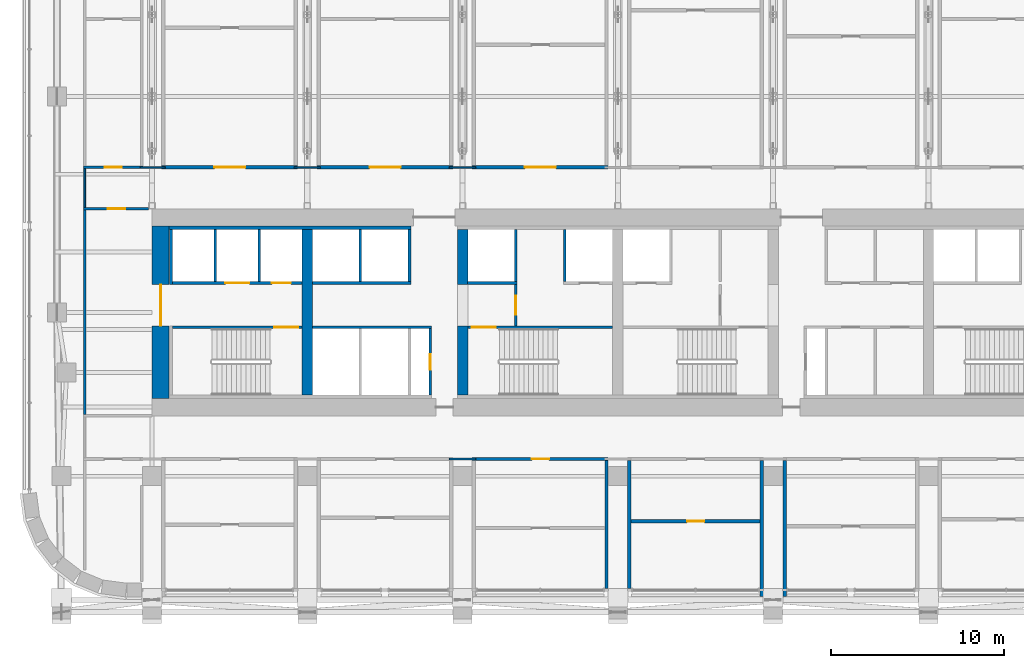
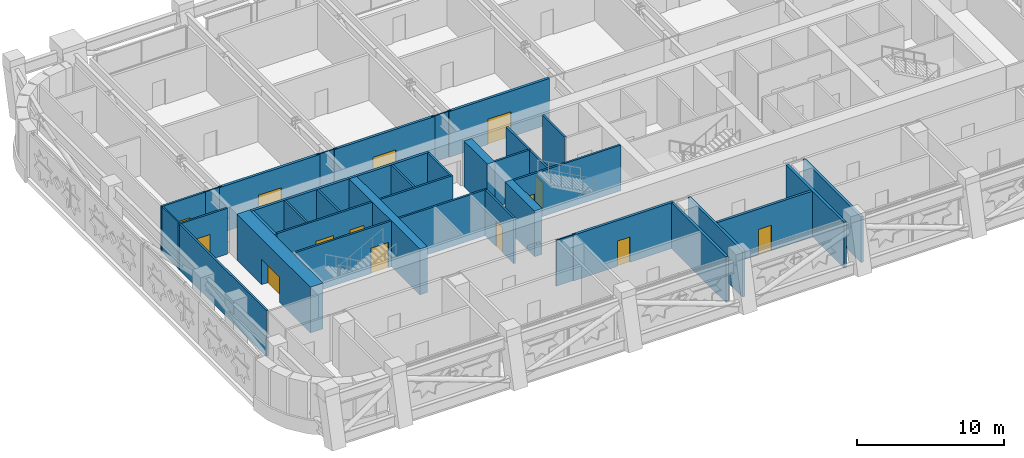
# One storey, part 13 of 27: 37 walls, 14 doors, 14 openings.
"""IFC4 building model written with IfcOpenShell, lengths in metres."""

import ifcopenshell
import ifcopenshell.guid

model = None  # the IFC model being written
_history = None  # IfcOwnerHistory: only IFC2X3 demands one
_inside = {}  # id of a spatial element -> (the spatial element, [elements in it])
_under = {}  # id of a project, library or spatial element -> (it, [spatial elements below it])
_declared = {}  # id of a project -> (the project, [libraries it declares])
_typed = {}  # id of a type object -> (the type object, [elements of that type])
_made_of = {}  # id of a material, layer set ... -> (it, [elements and type objects made of it])


def new_model(schema):
    """Start an empty IFC model of exactly this schema.

    Asked for "IFC4X3", IfcOpenShell would pick the latest addendum, in which some entities
    have other attributes; the version numbers below select the first issue.
    IFC2X3 requires an IfcOwnerHistory on every rooted entity: one is made here for all.
    """
    global model, _history
    if schema == "IFC4X3":
        model = ifcopenshell.file(schema_version=(4, 3, 0, 0))
    else:
        model = ifcopenshell.file(schema=schema)
    _inside.clear()
    _under.clear()
    _declared.clear()
    _typed.clear()
    _made_of.clear()
    _history = None
    if model.schema == "IFC2X3":
        org = make("IfcOrganization", Name="unknown")
        user = make(
            "IfcPersonAndOrganization",
            ThePerson=make("IfcPerson", FamilyName="unknown"),
            TheOrganization=org,
        )
        app = make(
            "IfcApplication",
            ApplicationDeveloper=org,
            Version="unknown",
            ApplicationFullName="unknown",
            ApplicationIdentifier="unknown",
        )
        _history = make(
            "IfcOwnerHistory",
            OwningUser=user,
            OwningApplication=app,
            ChangeAction="ADDED",
            CreationDate=0,
        )
    return model


def make(cls, **values):
    """One entity of the class cls with the attributes given. An attribute that is None is left unset."""
    return model.create_entity(
        cls, **{name: value for name, value in values.items() if value is not None}
    )


def rooted(cls, **values):
    """An entity with a GlobalId (a new one), such as an element, a storey or a relation."""
    return make(cls, GlobalId=ifcopenshell.guid.new(), OwnerHistory=_history, **values)


def si_unit(unit_type, name, prefix=None):
    """IfcSIUnit, for example si_unit("LENGTHUNIT", "METRE", prefix="MILLI")."""
    return make("IfcSIUnit", UnitType=unit_type, Prefix=prefix, Name=name)


def assignment(units):
    """IfcUnitAssignment: the units of a project."""
    return None if units is None else make("IfcUnitAssignment", Units=units)


def point(xyz):
    """IfcCartesianPoint."""
    return None if xyz is None else make("IfcCartesianPoint", Coordinates=xyz)


def direction(xyz):
    """IfcDirection."""
    return None if xyz is None else make("IfcDirection", DirectionRatios=xyz)


def frame(location, z_axis=None, x_axis=None):
    """IfcAxis2Placement3D, a coordinate frame: its origin and axes. An axis left out is left unset."""
    return make(
        "IfcAxis2Placement3D",
        Location=point(location),
        Axis=direction(z_axis),
        RefDirection=direction(x_axis),
    )


def frame_2d(location, x_axis=None):
    """IfcAxis2Placement2D, a coordinate frame in the plane: its origin and x axis."""
    return make(
        "IfcAxis2Placement2D", Location=point(location), RefDirection=direction(x_axis)
    )


def origin():
    """The frame at (0, 0, 0) with its axes left unset."""
    return frame((0.0, 0.0, 0.0))


def place(relative_to, where):
    """IfcLocalPlacement: puts the frame where relative to a parent placement (None: the world)."""
    return make(
        "IfcLocalPlacement", PlacementRelTo=relative_to, RelativePlacement=where
    )


def context(
    kind, dimensions, precision=None, world=None, true_north=None, identifier=None
):
    """IfcGeometricRepresentationContext, for example the 3D "Model" context."""
    return make(
        "IfcGeometricRepresentationContext",
        ContextIdentifier=identifier,
        ContextType=kind,
        CoordinateSpaceDimension=dimensions,
        Precision=precision,
        WorldCoordinateSystem=world,
        TrueNorth=true_north,
    )


def subcontext(parent, identifier, kind, view, scale=None):
    """IfcGeometricRepresentationSubContext, for example "Body" below "Model"."""
    return make(
        "IfcGeometricRepresentationSubContext",
        ContextIdentifier=identifier,
        ContextType=kind,
        ParentContext=parent,
        TargetScale=scale,
        TargetView=view,
    )


def project(units=None, contexts=None):
    """IfcProject with its units and contexts."""
    return rooted(
        "IfcProject",
        Name="project",
        RepresentationContexts=contexts,
        UnitsInContext=assignment(units),
    )


def spatial(cls, under=None, at=None, **own):
    """A site, building, storey or space (cls), placed at a placement, below another one or the project."""
    s = rooted(cls, ObjectPlacement=at, **own)
    if under is not None:
        _under.setdefault(under.id(), (under, []))[1].append(s)
    return s


def profile(cls, at=None, kind="AREA", **sizes):
    """A parametric profile (cls). Its sizes go by their IFC names, for example OverallWidth=200.0."""
    return make(cls, ProfileType=kind, Position=at, **sizes)


def rectangle(**sizes):
    """IfcRectangleProfileDef."""
    return profile("IfcRectangleProfileDef", **sizes)


def extrude(swept, where, along, depth):
    """IfcExtrudedAreaSolid: the profile swept, set in the frame where, extruded along a direction by depth."""
    return make(
        "IfcExtrudedAreaSolid",
        SweptArea=swept,
        Position=where,
        ExtrudedDirection=direction(along),
        Depth=depth,
    )


def shape(context_of_items, identifier, shape_type, items):
    """IfcShapeRepresentation: the items that make up one representation, for example the "Body"."""
    return make(
        "IfcShapeRepresentation",
        ContextOfItems=context_of_items,
        RepresentationIdentifier=identifier,
        RepresentationType=shape_type,
        Items=items,
    )


def material(Name=None, Category=None):
    """IfcMaterial."""
    return make("IfcMaterial", Name=Name, Category=Category)


def layer(
    of_material, thickness, ventilated=None, Name=None, Category=None, Priority=None
):
    """IfcMaterialLayer: one layer of a wall or slab, of a material (None: an air gap)."""
    return make(
        "IfcMaterialLayer",
        Material=of_material,
        LayerThickness=thickness,
        IsVentilated=ventilated,
        Name=Name,
        Category=Category,
        Priority=Priority,
    )


def layer_set(layers, Name=None):
    """IfcMaterialLayerSet."""
    return make("IfcMaterialLayerSet", MaterialLayers=layers, LayerSetName=Name)


def made_of(thing, what):
    """Note that an element or type object is made of a material, layer set ...; save() writes the relation."""
    if what is not None:
        _made_of.setdefault(what.id(), (what, []))[1].append(thing)
    return thing


def type_object(cls, material=None, **own):
    """A type object (cls), such as IfcWallType, which elements share."""
    return made_of(rooted(cls, **own), material)


def element(
    cls,
    number,
    at=None,
    inside=None,
    cuts=None,
    type_object=None,
    material=None,
    context=None,
    identifier="Body",
    shape_type=None,
    held_by="IfcProductDefinitionShape",
    body=None,
    shapes=None,
    **own,
):
    """One element of the class cls, such as IfcWall. Its Tag is "e" and its number.

    at: its placement. inside: the storey or other place that contains it. cuts: it is an
    opening in that element (IfcRelVoidsElement). A single representation is given by context,
    identifier, shape_type and body (its items); several are given by shapes. held_by: the class
    of the entity that holds the representations. save() writes the other relations.
    """
    e = rooted(cls, Tag="e%d" % number, ObjectPlacement=at, **own)
    if body is not None:
        shapes = [shape(context, identifier, shape_type, body)]
    if shapes is not None:
        e.Representation = make(held_by, Representations=shapes)
    if inside is not None:
        _inside.setdefault(inside.id(), (inside, []))[1].append(e)
    if cuts is not None:
        rooted(
            "IfcRelVoidsElement", RelatingBuildingElement=cuts, RelatedOpeningElement=e
        )
    if type_object is not None:
        _typed.setdefault(type_object.id(), (type_object, []))[1].append(e)
    return made_of(e, material)


def fill(opening, filler):
    """IfcRelFillsElement: the door or window that sits in an opening."""
    return rooted(
        "IfcRelFillsElement",
        RelatingOpeningElement=opening,
        RelatedBuildingElement=filler,
    )


def aggregate(whole, parts):
    """IfcRelAggregates: a whole, such as a stair, and the parts it consists of."""
    return rooted("IfcRelAggregates", RelatingObject=whole, RelatedObjects=parts)


def save(model, path):
    """Write the relations noted so far, then the file.

    IfcRelAggregates (storeys below a building ...), IfcRelContainedInSpatialStructure (elements
    in a storey), IfcRelDefinesByType, IfcRelAssociatesMaterial and IfcRelDeclares: one each for
    every whole, place, type object, material and project.
    """
    for whole, parts in _under.values():
        aggregate(whole, parts)
    for where, things in _inside.values():
        rooted(
            "IfcRelContainedInSpatialStructure",
            RelatedElements=things,
            RelatingStructure=where,
        )
    for kind, things in _typed.values():
        rooted("IfcRelDefinesByType", RelatedObjects=things, RelatingType=kind)
    for what, things in _made_of.values():
        rooted("IfcRelAssociatesMaterial", RelatedObjects=things, RelatingMaterial=what)
    for by, libraries in _declared.values():
        rooted("IfcRelDeclares", RelatingContext=by, RelatedDefinitions=libraries)
    model.write(path)


model = new_model("IFC4")

# Units and contexts
model_context = context("Model", 3, precision=1e-05, world=origin(), true_north=direction((0.0, 1.0)))
body_context = subcontext(model_context, "Body", "Model", "MODEL_VIEW")
ifc_project = project(units=[si_unit("LENGTHUNIT", "METRE"), si_unit("AREAUNIT", "SQUARE_METRE"), si_unit("VOLUMEUNIT", "CUBIC_METRE"), si_unit("PLANEANGLEUNIT", "RADIAN"), si_unit("MASSUNIT", "GRAM", prefix="KILO")], contexts=[model_context])

# Site, building, storey
site_placement = place(None, origin())
site = spatial("IfcSite", under=ifc_project, at=site_placement, CompositionType="ELEMENT")
building_placement = place(site_placement, origin())
building = spatial("IfcBuilding", under=site, at=building_placement, Name="Zellij Exchange Tower", CompositionType="ELEMENT")
storey_placement = place(building_placement, frame((0.0, 0.0, 104.5)))
storey = spatial("IfcBuildingStorey", under=building, at=storey_placement, Name="L22", CompositionType="ELEMENT", Elevation=104.5)

# Walls
ifc_material_1 = material(Name="Concrete C70/85", Category="concrete")
ifc_layer_1 = layer(ifc_material_1, 0.60009765625)
ifc_layer_set_1 = layer_set([ifc_layer_1], Name="Concrete C70/85")
wall_type_1 = type_object("IfcWallType", Name="CORE-CW 600 C70/85", PredefinedType="SHEAR", material=ifc_layer_set_1)
wall_1_placement = place(storey_placement, frame((-18.0, -12.800048828125, 0.0), z_axis=(0.0, 0.0, 1.0), x_axis=(0.0, 1.0, 0.0)))
element("IfcWall", 1, at=wall_1_placement, inside=storey, type_object=wall_type_1, Name="Core cross wall x -18 L22", PredefinedType="SHEAR", context=body_context, shape_type="SweptSolid", body=[
    extrude(rectangle(XDim=9.60009765625, YDim=0.60009765625, at=frame_2d((4.800048828125, 0.0))), origin(), (0.0, 0.0, 1.0), 3.800048828125),
])
wall_2_placement = place(storey_placement, frame((-9.0, -12.800048828125, 0.0), z_axis=(0.0, 0.0, 1.0), x_axis=(0.0, 1.0, 0.0)))
element("IfcWall", 2, at=wall_2_placement, inside=storey, type_object=wall_type_1, Name="Core cross wall pier x -9 a L22", PredefinedType="SHEAR", context=body_context, shape_type="SweptSolid", body=[
    extrude(rectangle(XDim=4.0, YDim=0.60009765625, at=frame_2d((2.0, 0.0))), origin(), (0.0, 0.0, 1.0), 3.800048828125),
])
wall_3_placement = place(storey_placement, frame((-9.0, -6.375, 0.0), z_axis=(0.0, 0.0, 1.0), x_axis=(0.0, 1.0, 0.0)))
element("IfcWall", 3, at=wall_3_placement, inside=storey, type_object=wall_type_1, Name="Core cross wall pier x -9 b L22", PredefinedType="SHEAR", context=body_context, shape_type="SweptSolid", body=[
    extrude(rectangle(XDim=3.175048828125, YDim=0.60009765625, at=frame_2d((1.58740234375, 0.0))), origin(), (0.0, 0.0, 1.0), 3.800048828125),
])
ifc_material_2 = material(Name="Concrete C30/37", Category="concrete")
ifc_layer_2 = layer(ifc_material_2, 0.199951171875)
ifc_layer_set_2 = layer_set([ifc_layer_2], Name="Concrete C30/37")
wall_type_2 = type_object("IfcWallType", Name="CORE-LW 200 C30/37", PredefinedType="SHEAR", material=ifc_layer_set_2)
wall_4_placement = place(storey_placement, frame((-26.0, -3.10009765625, 0.0), z_axis=(0.0, 0.0, 1.0), x_axis=(1.0, 0.0, 0.0)))
element("IfcWall", 4, at=wall_4_placement, inside=storey, type_object=wall_type_2, Name="Core wall lining front.0 L22", PredefinedType="SHEAR", context=body_context, shape_type="SweptSolid", body=[
    extrude(rectangle(XDim=14.0, YDim=0.199951171875, at=frame_2d((7.0, 0.0))), origin(), (0.0, 0.0, 1.0), 3.800048828125),
])
wall_5_placement = place(storey_placement, frame((-25.89990234375, -6.375, 0.0), z_axis=(0.0, 0.0, 1.0), x_axis=(0.0, 1.0, 0.0)))
element("IfcWall", 5, at=wall_5_placement, inside=storey, type_object=wall_type_2, Name="Core wall lining end w.1 L22", PredefinedType="SHEAR", context=body_context, shape_type="SweptSolid", body=[
    extrude(rectangle(XDim=3.175048828125, YDim=0.199951171875, at=frame_2d((1.58740234375, 0.0))), origin(), (0.0, 0.0, 1.0), 3.800048828125),
])

# Wall, opening, door
ifc_material_3 = material(Name="Gypsum shaft wall system")
ifc_layer_3 = layer(ifc_material_3, 0.14990234375)
ifc_layer_set_3 = layer_set([ifc_layer_3], Name="Gypsum shaft wall system")
wall_type_3 = type_object("IfcWallType", Name="CORE-PW 150 Firefighting lobby wall", PredefinedType="PARTITIONING", material=ifc_layer_set_3)
wall_6_placement = place(storey_placement, frame((-5.925048828125, -8.800048828125, 0.0), z_axis=(0.0, 0.0, 1.0), x_axis=(0.0, 1.0, 0.0)))
wall_6 = element("IfcWall", 6, at=wall_6_placement, inside=storey, type_object=wall_type_3, Name="Firefighting lobby wall L22", PredefinedType="PARTITIONING", context=body_context, shape_type="SweptSolid", body=[
    extrude(rectangle(XDim=2.425048828125, YDim=0.14990234375, at=frame_2d((1.21240234375, 0.0))), origin(), (0.0, 0.0, 1.0), 3.800048828125),
])
opening_1_placement = place(wall_6_placement, frame((0.662109375, 0.0, 0.0)))
opening_1 = element("IfcOpeningElement", 7, at=opening_1_placement, cuts=wall_6, Name="Opening CA-12.09", PredefinedType="OPENING", context=body_context, shape_type="SweptSolid", body=[
    extrude(rectangle(XDim=1.10009765625, YDim=2.10009765625, at=frame_2d((0.550048828125, 1.050048828125))), frame((0.0, 0.0869140625, 0.0), z_axis=(0.0, -1.0, 0.0), x_axis=(1.0, 0.0, 0.0)), (0.0, 0.0, 1.0), 0.173828125),
])
ifc_material_4 = material(Name="Hollow metal fire door")
door_type_1 = type_object("IfcDoorType", Name="CORE-D F Firefighting lobby door 1100x2100 1 HR", OperationType="NOTDEFINED", PredefinedType="DOOR", material=ifc_material_4)
door_1_placement = place(opening_1_placement, origin())
door_1 = element("IfcDoor", 8, at=door_1_placement, inside=storey, type_object=door_type_1, Name="Firefighting lobby door CA-12.09", OperationType="SINGLE_SWING_LEFT", OverallHeight=2.10009765625, OverallWidth=1.10009765625, PredefinedType="DOOR", context=body_context, shape_type="SweptSolid", body=[
    extrude(rectangle(XDim=1.10009765625, YDim=2.10009765625, at=frame_2d((0.550048828125, 1.050048828125))), frame((0.0, 0.02490234375, 0.0), z_axis=(0.0, -1.0, 0.0), x_axis=(1.0, 0.0, 0.0)), (0.0, 0.0, 1.0), 0.050048828125),
])
fill(opening_1, door_1)

# Walls
ifc_layer_4 = layer(ifc_material_3, 0.14990234375)
ifc_layer_set_4 = layer_set([ifc_layer_4], Name="Gypsum shaft wall system")
wall_type_4 = type_object("IfcWallType", Name="CORE-PW 150 Lift shaft wall", PredefinedType="PARTITIONING", material=ifc_layer_set_4)
for number, where, z_axis, x_axis, name in (
    (9, (-20.77490234375, -6.22509765625, 0.0), (0.0, 0.0, 1.0), (0.0, 1.0, 0.0), "Lift shaft wall L22"),
    (10, (-23.324951171875, -6.22509765625, 0.0), (0.0, 0.0, 1.0), (0.0, 1.0, 0.0), "Lift shaft wall L22"),
    (11, (-12.074951171875, -6.22509765625, 0.0), (0.0, 0.0, 1.0), (0.0, 1.0, 0.0), "Lift shaft wall L22"),
    (12, (-14.925048828125, -6.22509765625, 0.0), (0.0, 0.0, 1.0), (0.0, 1.0, 0.0), "Lift shaft wall L22"),
    (13, (-3.074951171875, -6.22509765625, 0.0), (0.0, 0.0, 1.0), (0.0, 1.0, 0.0), "Lift shaft wall L22"),
    (14, (-5.925048828125, -6.22509765625, 0.0), (0.0, 0.0, 1.0), (0.0, 1.0, 0.0), "Lift shaft wall L22"),
):
    element("IfcWall", number, at=place(storey_placement, frame(where, z_axis=z_axis, x_axis=x_axis)), inside=storey, type_object=wall_type_4, Name=name, PredefinedType="PARTITIONING", context=body_context, shape_type="SweptSolid", body=[
        extrude(rectangle(XDim=3.025146484375, YDim=0.14990234375, at=frame_2d((1.5126953125, 0.0))), origin(), (0.0, 0.0, 1.0), 3.800048828125),
    ])

# Wall, openings, doors
wall_7_placement = place(storey_placement, frame((-25.800048828125, -6.300048828125, 0.0), z_axis=(0.0, 0.0, 1.0), x_axis=(1.0, 0.0, 0.0)))
wall_7 = element("IfcWall", 15, at=wall_7_placement, inside=storey, type_object=wall_type_4, Name="Lift shaft wall L22", PredefinedType="PARTITIONING", context=body_context, shape_type="SweptSolid", body=[
    extrude(rectangle(XDim=7.5, YDim=0.14990234375, at=frame_2d((3.75, 0.0))), origin(), (0.0, 0.0, 1.0), 3.800048828125),
])
opening_2_placement = place(wall_7_placement, frame((3.050048828125, 0.0, 0.0)))
opening_2 = element("IfcOpeningElement", 16, at=opening_2_placement, cuts=wall_7, Name="Opening CA-12.02", PredefinedType="OPENING", context=body_context, shape_type="SweptSolid", body=[
    extrude(rectangle(XDim=1.39990234375, YDim=2.10009765625, at=frame_2d((0.699951171875, 1.050048828125))), frame((0.0, 0.0869140625, 0.0), z_axis=(0.0, -1.0, 0.0), x_axis=(1.0, 0.0, 0.0)), (0.0, 0.0, 1.0), 0.173828125),
])
opening_3_placement = place(wall_7_placement, frame((5.75, 0.0, 0.0)))
opening_3 = element("IfcOpeningElement", 17, at=opening_3_placement, cuts=wall_7, Name="Opening CA-12.03", PredefinedType="OPENING", context=body_context, shape_type="SweptSolid", body=[
    extrude(rectangle(XDim=1.10009765625, YDim=2.10009765625, at=frame_2d((0.550048828125, 1.050048828125))), frame((0.0, 0.0869140625, 0.0), z_axis=(0.0, -1.0, 0.0), x_axis=(1.0, 0.0, 0.0)), (0.0, 0.0, 1.0), 0.173828125),
])
door_type_2 = type_object("IfcDoorType", Name="CORE-D LD Lift landing door 1100x2100 1.5 HR", OperationType="NOTDEFINED", PredefinedType="DOOR", material=ifc_material_4)
door_2_placement = place(opening_3_placement, origin())
door_2 = element("IfcDoor", 18, at=door_2_placement, inside=storey, type_object=door_type_2, Name="Lift landing door CA-12.03", OperationType="SLIDING_TO_LEFT", OverallHeight=2.10009765625, OverallWidth=1.10009765625, PredefinedType="DOOR", context=body_context, shape_type="SweptSolid", body=[
    extrude(rectangle(XDim=1.10009765625, YDim=2.10009765625, at=frame_2d((0.550048828125, 1.050048828125))), frame((0.0, 0.02490234375, 0.0), z_axis=(0.0, -1.0, 0.0), x_axis=(1.0, 0.0, 0.0)), (0.0, 0.0, 1.0), 0.050048828125),
])
fill(opening_3, door_2)
door_type_3 = type_object("IfcDoorType", Name="CORE-D LD2 Service lift landing door 1400x2100 1.5 HR", OperationType="NOTDEFINED", PredefinedType="DOOR", material=ifc_material_4)
door_3_placement = place(opening_2_placement, origin())
door_3 = element("IfcDoor", 19, at=door_3_placement, inside=storey, type_object=door_type_3, Name="Service lift landing door CA-12.02", OperationType="SLIDING_TO_RIGHT", OverallHeight=2.10009765625, OverallWidth=1.39990234375, PredefinedType="DOOR", context=body_context, shape_type="SweptSolid", body=[
    extrude(rectangle(XDim=1.39990234375, YDim=2.10009765625, at=frame_2d((0.699951171875, 1.050048828125))), frame((0.0, 0.02490234375, 0.0), z_axis=(0.0, -1.0, 0.0), x_axis=(1.0, 0.0, 0.0)), (0.0, 0.0, 1.0), 0.050048828125),
])
fill(opening_2, door_3)

# Walls
wall_8_placement = place(storey_placement, frame((-17.699951171875, -6.300048828125, 0.0), z_axis=(0.0, 0.0, 1.0), x_axis=(1.0, 0.0, 0.0)))
element("IfcWall", 20, at=wall_8_placement, inside=storey, type_object=wall_type_4, Name="Lift shaft wall L22", PredefinedType="PARTITIONING", context=body_context, shape_type="SweptSolid", body=[
    extrude(rectangle(XDim=5.699951171875, YDim=0.14990234375, at=frame_2d((2.85009765625, 0.0))), origin(), (0.0, 0.0, 1.0), 3.800048828125),
])
wall_9_placement = place(storey_placement, frame((-8.699951171875, -6.300048828125, 0.0), z_axis=(0.0, 0.0, 1.0), x_axis=(1.0, 0.0, 0.0)))
element("IfcWall", 21, at=wall_9_placement, inside=storey, type_object=wall_type_4, Name="Lift shaft wall L22", PredefinedType="PARTITIONING", context=body_context, shape_type="SweptSolid", body=[
    extrude(rectangle(XDim=2.849853515625, YDim=0.14990234375, at=frame_2d((1.4248046875, 0.0))), origin(), (0.0, 0.0, 1.0), 3.800048828125),
])
wall_10_placement = place(storey_placement, frame((-17.699951171875, -8.875, 0.0), z_axis=(0.0, 0.0, 1.0), x_axis=(1.0, 0.0, 0.0)))
element("IfcWall", 22, at=wall_10_placement, inside=storey, type_object=wall_type_4, Name="Lift shaft wall L22", PredefinedType="PARTITIONING", context=body_context, shape_type="SweptSolid", body=[
    extrude(rectangle(XDim=6.89990234375, YDim=0.14990234375, at=frame_2d((3.449951171875, 0.0))), origin(), (0.0, 0.0, 1.0), 3.800048828125),
])

# Wall, opening, door
ifc_layer_5 = layer(ifc_material_3, 0.14990234375)
ifc_layer_set_5 = layer_set([ifc_layer_5], Name="Gypsum shaft wall system")
wall_type_5 = type_object("IfcWallType", Name="CORE-PW 150 Plant room wall", PredefinedType="PARTITIONING", material=ifc_layer_set_5)
wall_11_placement = place(storey_placement, frame((-10.875, -12.800048828125, 0.0), z_axis=(0.0, 0.0, 1.0), x_axis=(0.0, 1.0, 0.0)))
wall_11 = element("IfcWall", 23, at=wall_11_placement, inside=storey, type_object=wall_type_5, Name="Plant room wall L22", PredefinedType="PARTITIONING", context=body_context, shape_type="SweptSolid", body=[
    extrude(rectangle(XDim=3.85009765625, YDim=0.14990234375, at=frame_2d((1.925048828125, 0.0))), origin(), (0.0, 0.0, 1.0), 3.800048828125),
])
opening_4_placement = place(wall_11_placement, frame((1.47509765625, 0.0, 0.0)))
opening_4 = element("IfcOpeningElement", 24, at=opening_4_placement, cuts=wall_11, Name="Opening CA-12.05", PredefinedType="OPENING", context=body_context, shape_type="SweptSolid", body=[
    extrude(rectangle(XDim=0.89990234375, YDim=2.10009765625, at=frame_2d((0.449951171875, 1.050048828125))), frame((0.0, 0.0869140625, 0.0), z_axis=(0.0, -1.0, 0.0), x_axis=(1.0, 0.0, 0.0)), (0.0, 0.0, 1.0), 0.173828125),
])
door_type_4 = type_object("IfcDoorType", Name="CORE-D RD Riser door 900x2100 1.5 HR", OperationType="NOTDEFINED", PredefinedType="DOOR", material=ifc_material_4)
door_4_placement = place(opening_4_placement, origin())
door_4 = element("IfcDoor", 25, at=door_4_placement, inside=storey, type_object=door_type_4, Name="Riser door CA-12.05", OperationType="SINGLE_SWING_RIGHT", OverallHeight=2.10009765625, OverallWidth=0.89990234375, PredefinedType="DOOR", context=body_context, shape_type="SweptSolid", body=[
    extrude(rectangle(XDim=0.89990234375, YDim=2.10009765625, at=frame_2d((0.449951171875, 1.050048828125))), frame((0.0, 0.02490234375, 0.0), z_axis=(0.0, -1.0, 0.0), x_axis=(1.0, 0.0, 0.0)), (0.0, 0.0, 1.0), 0.050048828125),
])
fill(opening_4, door_4)

ifc_layer_6 = layer(ifc_material_1, 1.0)
ifc_layer_set_6 = layer_set([ifc_layer_6], Name="Concrete C70/85")
wall_type_6 = type_object("IfcWallType", Name="CORE-SW 1000 C70/85", PredefinedType="SHEAR", material=ifc_layer_set_6)
wall_12_placement = place(storey_placement, frame((-26.5, -13.0, 0.0), z_axis=(0.0, 0.0, 1.0), x_axis=(0.0, 1.0, 0.0)))
wall_12 = element("IfcWall", 26, at=wall_12_placement, inside=storey, type_object=wall_type_6, Name="Core shear wall end w L22", PredefinedType="SHEAR", context=body_context, shape_type="SweptSolid", body=[
    extrude(rectangle(XDim=10.0, YDim=1.0, at=frame_2d((5.0, 0.0))), origin(), (0.0, 0.0, 1.0), 3.800048828125),
])
opening_5_placement = place(wall_12_placement, frame((4.2119140625, 0.0, 0.0)))
opening_5 = element("IfcOpeningElement", 27, at=opening_5_placement, cuts=wall_12, Name="Opening CA-12.01", PredefinedType="OPENING", context=body_context, shape_type="SweptSolid", body=[
    extrude(rectangle(XDim=2.39990234375, YDim=2.10009765625, at=frame_2d((1.199951171875, 1.050048828125))), frame((0.0, 0.511962890625, 0.0), z_axis=(0.0, -1.0, 0.0), x_axis=(1.0, 0.0, 0.0)), (0.0, 0.0, 1.0), 1.02392578125),
])
door_type_5 = type_object("IfcDoorType", Name="CORE-D CE Core entrance door 2400x2100 20 MIN", OperationType="NOTDEFINED", PredefinedType="DOOR", material=ifc_material_4)
door_5_placement = place(opening_5_placement, origin())
door_5 = element("IfcDoor", 28, at=door_5_placement, inside=storey, type_object=door_type_5, Name="Core entrance door CA-12.01", OperationType="DOUBLE_DOOR_SINGLE_SWING", OverallHeight=2.10009765625, OverallWidth=2.39990234375, PredefinedType="DOOR", context=body_context, shape_type="SweptSolid", body=[
    extrude(rectangle(XDim=2.39990234375, YDim=2.10009765625, at=frame_2d((1.199951171875, 1.050048828125))), frame((0.0, 0.02490234375, 0.0), z_axis=(0.0, -1.0, 0.0), x_axis=(1.0, 0.0, 0.0)), (0.0, 0.0, 1.0), 0.050048828125),
])
fill(opening_5, door_5)

ifc_layer_7 = layer(ifc_material_1, 0.14990234375)
ifc_layer_set_7 = layer_set([ifc_layer_7], Name="Concrete C70/85")
wall_type_7 = type_object("IfcWallType", Name="CORE-SWS 150 C70/85", PredefinedType="SHEAR", material=ifc_layer_set_7)
wall_13_placement = place(storey_placement, frame((-25.800048828125, -8.875, 0.0), z_axis=(0.0, 0.0, 1.0), x_axis=(1.0, 0.0, 0.0)))
wall_13 = element("IfcWall", 29, at=wall_13_placement, inside=storey, type_object=wall_type_7, Name="Stair enclosure wall L22", PredefinedType="SHEAR", context=body_context, shape_type="SweptSolid", body=[
    extrude(rectangle(XDim=7.5, YDim=0.14990234375, at=frame_2d((3.75, 0.0))), origin(), (0.0, 0.0, 1.0), 3.800048828125),
])
opening_6_placement = place(wall_13_placement, frame((5.875, 0.0, 0.0)))
opening_6 = element("IfcOpeningElement", 30, at=opening_6_placement, cuts=wall_13, Name="Opening CA-12.04", PredefinedType="OPENING", context=body_context, shape_type="SweptSolid", body=[
    extrude(rectangle(XDim=1.39990234375, YDim=2.10009765625, at=frame_2d((0.699951171875, 1.050048828125))), frame((0.0, 0.0869140625, 0.0), z_axis=(0.0, -1.0, 0.0), x_axis=(1.0, 0.0, 0.0)), (0.0, 0.0, 1.0), 0.173828125),
])
door_type_6 = type_object("IfcDoorType", Name="CORE-D SD Stair door 1400x2100 1.5 HR", OperationType="NOTDEFINED", PredefinedType="DOOR", material=ifc_material_4)
door_6_placement = place(opening_6_placement, origin())
door_6 = element("IfcDoor", 31, at=door_6_placement, inside=storey, type_object=door_type_6, Name="Stair door CA-12.04", OperationType="DOUBLE_DOOR_SINGLE_SWING", OverallHeight=2.10009765625, OverallWidth=1.39990234375, PredefinedType="DOOR", context=body_context, shape_type="SweptSolid", body=[
    extrude(rectangle(XDim=1.39990234375, YDim=2.10009765625, at=frame_2d((0.699951171875, 1.050048828125))), frame((0.0, 0.02490234375, 0.0), z_axis=(0.0, -1.0, 0.0), x_axis=(1.0, 0.0, 0.0)), (0.0, 0.0, 1.0), 0.050048828125),
])
fill(opening_6, door_6)

wall_14_placement = place(storey_placement, frame((-8.699951171875, -8.875, 0.0), z_axis=(0.0, 0.0, 1.0), x_axis=(1.0, 0.0, 0.0)))
wall_14 = element("IfcWall", 32, at=wall_14_placement, inside=storey, type_object=wall_type_7, Name="Stair enclosure wall L22", PredefinedType="SHEAR", context=body_context, shape_type="SweptSolid", body=[
    extrude(rectangle(XDim=8.39990234375, YDim=0.14990234375, at=frame_2d((4.199951171875, 0.0))), origin(), (0.0, 0.0, 1.0), 3.800048828125),
])
opening_7_placement = place(wall_14_placement, frame((0.22509765625, 0.0, 0.0)))
opening_7 = element("IfcOpeningElement", 33, at=opening_7_placement, cuts=wall_14, Name="Opening CA-12.08", PredefinedType="OPENING", context=body_context, shape_type="SweptSolid", body=[
    extrude(rectangle(XDim=1.39990234375, YDim=2.10009765625, at=frame_2d((0.699951171875, 1.050048828125))), frame((0.0, 0.0869140625, 0.0), z_axis=(0.0, -1.0, 0.0), x_axis=(1.0, 0.0, 0.0)), (0.0, 0.0, 1.0), 0.173828125),
])
door_7_placement = place(opening_7_placement, origin())
door_7 = element("IfcDoor", 34, at=door_7_placement, inside=storey, type_object=door_type_6, Name="Stair door CA-12.08", OperationType="DOUBLE_DOOR_SINGLE_SWING", OverallHeight=2.10009765625, OverallWidth=1.39990234375, PredefinedType="DOOR", context=body_context, shape_type="SweptSolid", body=[
    extrude(rectangle(XDim=1.39990234375, YDim=2.10009765625, at=frame_2d((0.699951171875, 1.050048828125))), frame((0.0, 0.02490234375, 0.0), z_axis=(0.0, -1.0, 0.0), x_axis=(1.0, 0.0, 0.0)), (0.0, 0.0, 1.0), 0.050048828125),
])
fill(opening_7, door_7)

# Walls
ifc_material_5 = material(Name="Blockwork fire wall", Category="masonry")
ifc_layer_8 = layer(ifc_material_5, 0.199951171875)
ifc_layer_set_8 = layer_set([ifc_layer_8], Name="Blockwork fire wall")
wall_type_8 = type_object("IfcWallType", Name="FIT-BLOCKWORK-200-EI120", PredefinedType="PARTITIONING", material=ifc_layer_set_8)
for number, where, z_axis, x_axis, name in (
    (35, (-0.659912109375, -24.0, 0.0), (0.0, 0.0, 1.0), (0.0, 1.0, 0.0), "FIT-BLOCKWORK-200-EI120 006"),
    (36, (0.659912109375, -24.0, 0.0), (0.0, 0.0, 1.0), (0.0, 1.0, 0.0), "FIT-BLOCKWORK-200-EI120 007"),
):
    element("IfcWall", number, at=place(storey_placement, frame(where, z_axis=z_axis, x_axis=x_axis)), inside=storey, type_object=wall_type_8, Name=name, PredefinedType="PARTITIONING", context=body_context, shape_type="SweptSolid", body=[
        extrude(rectangle(XDim=7.39990234375, YDim=0.199951171875, at=frame_2d((3.699951171875, 0.0))), origin(), (0.0, 0.0, 1.0), 3.800048828125),
    ])
for number, where, z_axis, x_axis, name in (
    (37, (8.340087890625, -24.482177734375, 0.0), (0.0, 0.0, 1.0), (0.0, 1.0, 0.0), "FIT-BLOCKWORK-200-EI120 008"),
    (38, (9.659912109375, -24.482177734375, 0.0), (0.0, 0.0, 1.0), (0.0, 1.0, 0.0), "FIT-BLOCKWORK-200-EI120 009"),
):
    element("IfcWall", number, at=place(storey_placement, frame(where, z_axis=z_axis, x_axis=x_axis)), inside=storey, type_object=wall_type_8, Name=name, PredefinedType="PARTITIONING", context=body_context, shape_type="SweptSolid", body=[
        extrude(rectangle(XDim=7.882080078125, YDim=0.199951171875, at=frame_2d((3.94091796875, 0.0))), origin(), (0.0, 0.0, 1.0), 3.800048828125),
    ])

# Wall, opening, door
wall_15_placement = place(storey_placement, frame((0.760009765625, -20.10009765625, 0.0), z_axis=(0.0, 0.0, 1.0), x_axis=(1.0, 0.0, 0.0)))
wall_15 = element("IfcWall", 39, at=wall_15_placement, inside=storey, type_object=wall_type_8, Name="FIT-BLOCKWORK-200-EI120 020", PredefinedType="PARTITIONING", context=body_context, shape_type="SweptSolid", body=[
    extrude(rectangle(XDim=7.47998046875, YDim=0.199951171875, at=frame_2d((3.739990234375, 0.0))), origin(), (0.0, 0.0, 1.0), 3.800048828125),
])
opening_8_placement = place(wall_15_placement, frame((3.25, 0.0, 0.0)))
opening_8 = element("IfcOpeningElement", 40, at=opening_8_placement, cuts=wall_15, Name="Opening PL22.04", PredefinedType="OPENING", context=body_context, shape_type="SweptSolid", body=[
    extrude(rectangle(XDim=1.0, YDim=2.10009765625, at=frame_2d((0.5, 1.050048828125))), frame((0.0, 0.11181640625, 0.0), z_axis=(0.0, -1.0, 0.0), x_axis=(1.0, 0.0, 0.0)), (0.0, 0.0, 1.0), 0.223876953125),
])
ifc_material_6 = material(Name="Steel fire door set", Category="steel")
door_type_7 = type_object("IfcDoorType", Name="FIT-D4-FIRE-1000X2100", OperationType="SINGLE_SWING_LEFT", PredefinedType="DOOR", material=ifc_material_6)
door_8_placement = place(opening_8_placement, origin())
door_8 = element("IfcDoor", 41, at=door_8_placement, inside=storey, type_object=door_type_7, Name="Door PL22.04", OperationType="SINGLE_SWING_LEFT", OverallHeight=2.10009765625, OverallWidth=1.0, PredefinedType="DOOR", context=body_context, shape_type="SweptSolid", body=[
    extrude(rectangle(XDim=1.0, YDim=2.10009765625, at=frame_2d((0.5, 1.050048828125))), frame((0.0, 0.02490234375, 0.0), z_axis=(0.0, -1.0, 0.0), x_axis=(1.0, 0.0, 0.0)), (0.0, 0.0, 1.0), 0.050048828125),
])
fill(opening_8, door_8)

wall_16_placement = place(storey_placement, frame((-8.43994140625, -16.5, 0.0), z_axis=(0.0, 0.0, 1.0), x_axis=(1.0, 0.0, 0.0)))
wall_16 = element("IfcWall", 42, at=wall_16_placement, inside=storey, type_object=wall_type_8, Name="FIT-BLOCKWORK-200-EI120 030", PredefinedType="PARTITIONING", context=body_context, shape_type="SweptSolid", body=[
    extrude(rectangle(XDim=7.8798828125, YDim=0.199951171875, at=frame_2d((3.93994140625, 0.0))), origin(), (0.0, 0.0, 1.0), 3.800048828125),
])
opening_9_placement = place(wall_16_placement, frame((3.449951171875, 0.0, 0.0)))
opening_9 = element("IfcOpeningElement", 43, at=opening_9_placement, cuts=wall_16, Name="Opening PL22.10", PredefinedType="OPENING", context=body_context, shape_type="SweptSolid", body=[
    extrude(rectangle(XDim=1.0, YDim=2.10009765625, at=frame_2d((0.5, 1.050048828125))), frame((0.0, 0.11181640625, 0.0), z_axis=(0.0, -1.0, 0.0), x_axis=(1.0, 0.0, 0.0)), (0.0, 0.0, 1.0), 0.223876953125),
])
door_9_placement = place(opening_9_placement, origin())
door_9 = element("IfcDoor", 44, at=door_9_placement, inside=storey, type_object=door_type_7, Name="Door PL22.10", OperationType="SINGLE_SWING_LEFT", OverallHeight=2.10009765625, OverallWidth=1.0, PredefinedType="DOOR", context=body_context, shape_type="SweptSolid", body=[
    extrude(rectangle(XDim=1.0, YDim=2.10009765625, at=frame_2d((0.5, 1.050048828125))), frame((0.0, 0.02490234375, 0.0), z_axis=(0.0, -1.0, 0.0), x_axis=(1.0, 0.0, 0.0)), (0.0, 0.0, 1.0), 0.050048828125),
])
fill(opening_9, door_9)

wall_17_placement = place(storey_placement, frame((-26.43994140625, 0.39990234375, 0.0), z_axis=(0.0, 0.0, 1.0), x_axis=(1.0, 0.0, 0.0)))
wall_17 = element("IfcWall", 45, at=wall_17_placement, inside=storey, type_object=wall_type_8, Name="FIT-BLOCKWORK-200-EI120 052", PredefinedType="PARTITIONING", context=body_context, shape_type="SweptSolid", body=[
    extrude(rectangle(XDim=7.8798828125, YDim=0.199951171875, at=frame_2d((3.93994140625, 0.0))), origin(), (0.0, 0.0, 1.0), 3.800048828125),
])
opening_10_placement = place(wall_17_placement, frame((3.050048828125, 0.0, 0.0)))
opening_10 = element("IfcOpeningElement", 46, at=opening_10_placement, cuts=wall_17, Name="Opening PL22.18", PredefinedType="OPENING", context=body_context, shape_type="SweptSolid", body=[
    extrude(rectangle(XDim=1.800048828125, YDim=2.10009765625, at=frame_2d((0.89990234375, 1.050048828125))), frame((0.0, 0.11181640625, 0.0), z_axis=(0.0, -1.0, 0.0), x_axis=(1.0, 0.0, 0.0)), (0.0, 0.0, 1.0), 0.223876953125),
])
door_type_8 = type_object("IfcDoorType", Name="FIT-D5-FIRE-DOUBLE-1800X2100", OperationType="DOUBLE_DOOR_SINGLE_SWING", PredefinedType="DOOR", material=ifc_material_6)
door_10_placement = place(opening_10_placement, origin())
door_10 = element("IfcDoor", 47, at=door_10_placement, inside=storey, type_object=door_type_8, Name="Door PL22.18", OperationType="DOUBLE_DOOR_SINGLE_SWING", OverallHeight=2.10009765625, OverallWidth=1.800048828125, PredefinedType="DOOR", context=body_context, shape_type="SweptSolid", body=[
    extrude(rectangle(XDim=1.800048828125, YDim=2.10009765625, at=frame_2d((0.89990234375, 1.050048828125))), frame((0.0, 0.02490234375, 0.0), z_axis=(0.0, -1.0, 0.0), x_axis=(1.0, 0.0, 0.0)), (0.0, 0.0, 1.0), 0.050048828125),
])
fill(opening_10, door_10)

wall_18_placement = place(storey_placement, frame((-17.43994140625, 0.39990234375, 0.0), z_axis=(0.0, 0.0, 1.0), x_axis=(1.0, 0.0, 0.0)))
wall_18 = element("IfcWall", 48, at=wall_18_placement, inside=storey, type_object=wall_type_8, Name="FIT-BLOCKWORK-200-EI120 056", PredefinedType="PARTITIONING", context=body_context, shape_type="SweptSolid", body=[
    extrude(rectangle(XDim=7.8798828125, YDim=0.199951171875, at=frame_2d((3.93994140625, 0.0))), origin(), (0.0, 0.0, 1.0), 3.800048828125),
])
opening_11_placement = place(wall_18_placement, frame((3.050048828125, 0.0, 0.0)))
opening_11 = element("IfcOpeningElement", 49, at=opening_11_placement, cuts=wall_18, Name="Opening PL22.19", PredefinedType="OPENING", context=body_context, shape_type="SweptSolid", body=[
    extrude(rectangle(XDim=1.800048828125, YDim=2.10009765625, at=frame_2d((0.89990234375, 1.050048828125))), frame((0.0, 0.11181640625, 0.0), z_axis=(0.0, -1.0, 0.0), x_axis=(1.0, 0.0, 0.0)), (0.0, 0.0, 1.0), 0.223876953125),
])
door_11_placement = place(opening_11_placement, origin())
door_11 = element("IfcDoor", 50, at=door_11_placement, inside=storey, type_object=door_type_8, Name="Door PL22.19", OperationType="DOUBLE_DOOR_SINGLE_SWING", OverallHeight=2.10009765625, OverallWidth=1.800048828125, PredefinedType="DOOR", context=body_context, shape_type="SweptSolid", body=[
    extrude(rectangle(XDim=1.800048828125, YDim=2.10009765625, at=frame_2d((0.89990234375, 1.050048828125))), frame((0.0, 0.02490234375, 0.0), z_axis=(0.0, -1.0, 0.0), x_axis=(1.0, 0.0, 0.0)), (0.0, 0.0, 1.0), 0.050048828125),
])
fill(opening_11, door_11)

wall_19_placement = place(storey_placement, frame((-8.43994140625, 0.39990234375, 0.0), z_axis=(0.0, 0.0, 1.0), x_axis=(1.0, 0.0, 0.0)))
wall_19 = element("IfcWall", 51, at=wall_19_placement, inside=storey, type_object=wall_type_8, Name="FIT-BLOCKWORK-200-EI120 060", PredefinedType="PARTITIONING", context=body_context, shape_type="SweptSolid", body=[
    extrude(rectangle(XDim=7.8798828125, YDim=0.199951171875, at=frame_2d((3.93994140625, 0.0))), origin(), (0.0, 0.0, 1.0), 3.800048828125),
])
opening_12_placement = place(wall_19_placement, frame((3.050048828125, 0.0, 0.0)))
opening_12 = element("IfcOpeningElement", 52, at=opening_12_placement, cuts=wall_19, Name="Opening PL22.20", PredefinedType="OPENING", context=body_context, shape_type="SweptSolid", body=[
    extrude(rectangle(XDim=1.800048828125, YDim=2.10009765625, at=frame_2d((0.89990234375, 1.050048828125))), frame((0.0, 0.11181640625, 0.0), z_axis=(0.0, -1.0, 0.0), x_axis=(1.0, 0.0, 0.0)), (0.0, 0.0, 1.0), 0.223876953125),
])
door_12_placement = place(opening_12_placement, origin())
door_12 = element("IfcDoor", 53, at=door_12_placement, inside=storey, type_object=door_type_8, Name="Door PL22.20", OperationType="DOUBLE_DOOR_SINGLE_SWING", OverallHeight=2.10009765625, OverallWidth=1.800048828125, PredefinedType="DOOR", context=body_context, shape_type="SweptSolid", body=[
    extrude(rectangle(XDim=1.800048828125, YDim=2.10009765625, at=frame_2d((0.89990234375, 1.050048828125))), frame((0.0, 0.02490234375, 0.0), z_axis=(0.0, -1.0, 0.0), x_axis=(1.0, 0.0, 0.0)), (0.0, 0.0, 1.0), 0.050048828125),
])
fill(opening_12, door_12)

# Walls
ifc_material_7 = material(Name="Gypsum board partition on steel studs", Category="steel")
ifc_layer_9 = layer(ifc_material_7, 0.10009765625)
ifc_layer_set_9 = layer_set([ifc_layer_9], Name="Gypsum board partition on steel studs")
wall_type_9 = type_object("IfcWallType", Name="FIT-PARTITION-100", PredefinedType="PARTITIONING", material=ifc_layer_set_9)
wall_20_placement = place(storey_placement, frame((-9.760009765625, -16.5, 0.0), z_axis=(0.0, 0.0, 1.0), x_axis=(1.0, 0.0, 0.0)))
element("IfcWall", 54, at=wall_20_placement, inside=storey, type_object=wall_type_9, Name="FIT-PARTITION-100 029", PredefinedType="PARTITIONING", context=body_context, shape_type="SweptSolid", body=[
    extrude(rectangle(XDim=1.52001953125, YDim=0.10009765625, at=frame_2d((0.760009765625, 0.0))), origin(), (0.0, 0.0, 1.0), 3.800048828125),
])
wall_21_placement = place(storey_placement, frame((-30.89990234375, -1.925048828125, 0.0), z_axis=(0.0, 0.0, 1.0), x_axis=(0.0, 1.0, 0.0)))
element("IfcWall", 55, at=wall_21_placement, inside=storey, type_object=wall_type_9, Name="FIT-PARTITION-100 045", PredefinedType="PARTITIONING", context=body_context, shape_type="SweptSolid", body=[
    extrude(rectangle(XDim=2.25, YDim=0.10009765625, at=frame_2d((1.125, 0.0))), origin(), (0.0, 0.0, 1.0), 3.800048828125),
])
wall_22_placement = place(storey_placement, frame((-27.675048828125, 0.39990234375, 0.0), z_axis=(0.0, 0.0, 1.0), x_axis=(1.0, 0.0, 0.0)))
element("IfcWall", 56, at=wall_22_placement, inside=storey, type_object=wall_type_9, Name="FIT-PARTITION-100 050", PredefinedType="PARTITIONING", context=body_context, shape_type="SweptSolid", body=[
    extrude(rectangle(XDim=1.43505859375, YDim=0.10009765625, at=frame_2d((0.717529296875, 0.0))), origin(), (0.0, 0.0, 1.0), 3.800048828125),
])
for number, where, z_axis, x_axis, name in (
    (57, (-18.760009765625, 0.39990234375, 0.0), (0.0, 0.0, 1.0), (1.0, 0.0, 0.0), "FIT-PARTITION-100 054"),
    (58, (-9.760009765625, 0.39990234375, 0.0), (0.0, 0.0, 1.0), (1.0, 0.0, 0.0), "FIT-PARTITION-100 058"),
):
    element("IfcWall", number, at=place(storey_placement, frame(where, z_axis=z_axis, x_axis=x_axis)), inside=storey, type_object=wall_type_9, Name=name, PredefinedType="PARTITIONING", context=body_context, shape_type="SweptSolid", body=[
        extrude(rectangle(XDim=1.52001953125, YDim=0.10009765625, at=frame_2d((0.760009765625, 0.0))), origin(), (0.0, 0.0, 1.0), 3.800048828125),
    ])
ifc_material_8 = material(Name="Gypsum board shaft-wall partition", Category="gypsum")
ifc_layer_10 = layer(ifc_material_8, 0.14990234375)
ifc_layer_set_10 = layer_set([ifc_layer_10], Name="Gypsum board shaft-wall partition")
wall_type_10 = type_object("IfcWallType", Name="FIT-PARTITION-150-EI60", PredefinedType="PARTITIONING", material=ifc_layer_set_10)
wall_23_placement = place(storey_placement, frame((-30.89990234375, -13.925048828125, 0.0), z_axis=(0.0, 0.0, 1.0), x_axis=(0.0, 1.0, 0.0)))
element("IfcWall", 59, at=wall_23_placement, inside=storey, type_object=wall_type_10, Name="FIT-PARTITION-150-EI60 041", PredefinedType="PARTITIONING", context=body_context, shape_type="SweptSolid", body=[
    extrude(rectangle(XDim=11.85009765625, YDim=0.14990234375, at=frame_2d((5.925048828125, 0.0))), origin(), (0.0, 0.0, 1.0), 3.800048828125),
])

# Wall, opening, door
wall_24_placement = place(storey_placement, frame((-30.97509765625, -2.0, 0.0), z_axis=(0.0, 0.0, 1.0), x_axis=(1.0, 0.0, 0.0)))
wall_24 = element("IfcWall", 60, at=wall_24_placement, inside=storey, type_object=wall_type_10, Name="FIT-PARTITION-150-EI60 044", PredefinedType="PARTITIONING", context=body_context, shape_type="SweptSolid", body=[
    extrude(rectangle(XDim=3.76318359375, YDim=0.14990234375, at=frame_2d((1.881591796875, 0.0))), origin(), (0.0, 0.0, 1.0), 3.800048828125),
])
opening_13_placement = place(wall_24_placement, frame((1.425048828125, 0.0, 0.0)))
opening_13 = element("IfcOpeningElement", 61, at=opening_13_placement, cuts=wall_24, Name="Opening PL22.15", PredefinedType="OPENING", context=body_context, shape_type="SweptSolid", body=[
    extrude(rectangle(XDim=1.0, YDim=2.10009765625, at=frame_2d((0.5, 1.050048828125))), frame((0.0, 0.0869140625, 0.0), z_axis=(0.0, -1.0, 0.0), x_axis=(1.0, 0.0, 0.0)), (0.0, 0.0, 1.0), 0.173828125),
])
door_13_placement = place(opening_13_placement, origin())
door_13 = element("IfcDoor", 62, at=door_13_placement, inside=storey, type_object=door_type_7, Name="Door PL22.15", OperationType="SINGLE_SWING_RIGHT", OverallHeight=2.10009765625, OverallWidth=1.0, PredefinedType="DOOR", context=body_context, shape_type="SweptSolid", body=[
    extrude(rectangle(XDim=1.0, YDim=2.10009765625, at=frame_2d((0.5, 1.050048828125))), frame((0.0, 0.02490234375, 0.0), z_axis=(0.0, -1.0, 0.0), x_axis=(1.0, 0.0, 0.0)), (0.0, 0.0, 1.0), 0.050048828125),
])
fill(opening_13, door_13)

wall_25_placement = place(storey_placement, frame((-30.97509765625, 0.39990234375, 0.0), z_axis=(0.0, 0.0, 1.0), x_axis=(1.0, 0.0, 0.0)))
wall_25 = element("IfcWall", 63, at=wall_25_placement, inside=storey, type_object=wall_type_10, Name="FIT-PARTITION-150-EI60 048", PredefinedType="PARTITIONING", context=body_context, shape_type="SweptSolid", body=[
    extrude(rectangle(XDim=3.4501953125, YDim=0.14990234375, at=frame_2d((1.72509765625, 0.0))), origin(), (0.0, 0.0, 1.0), 3.800048828125),
])
opening_14_placement = place(wall_25_placement, frame((1.22509765625, 0.0, 0.0)))
opening_14 = element("IfcOpeningElement", 64, at=opening_14_placement, cuts=wall_25, Name="Opening PL22.17", PredefinedType="OPENING", context=body_context, shape_type="SweptSolid", body=[
    extrude(rectangle(XDim=1.0, YDim=2.10009765625, at=frame_2d((0.5, 1.050048828125))), frame((0.0, 0.0869140625, 0.0), z_axis=(0.0, -1.0, 0.0), x_axis=(1.0, 0.0, 0.0)), (0.0, 0.0, 1.0), 0.173828125),
])
door_14_placement = place(opening_14_placement, origin())
door_14 = element("IfcDoor", 65, at=door_14_placement, inside=storey, type_object=door_type_7, Name="Door PL22.17", OperationType="SINGLE_SWING_RIGHT", OverallHeight=2.10009765625, OverallWidth=1.0, PredefinedType="DOOR", context=body_context, shape_type="SweptSolid", body=[
    extrude(rectangle(XDim=1.0, YDim=2.10009765625, at=frame_2d((0.5, 1.050048828125))), frame((0.0, 0.02490234375, 0.0), z_axis=(0.0, -1.0, 0.0), x_axis=(1.0, 0.0, 0.0)), (0.0, 0.0, 1.0), 0.050048828125),
])
fill(opening_14, door_14)

save(model, "model.ifc")
